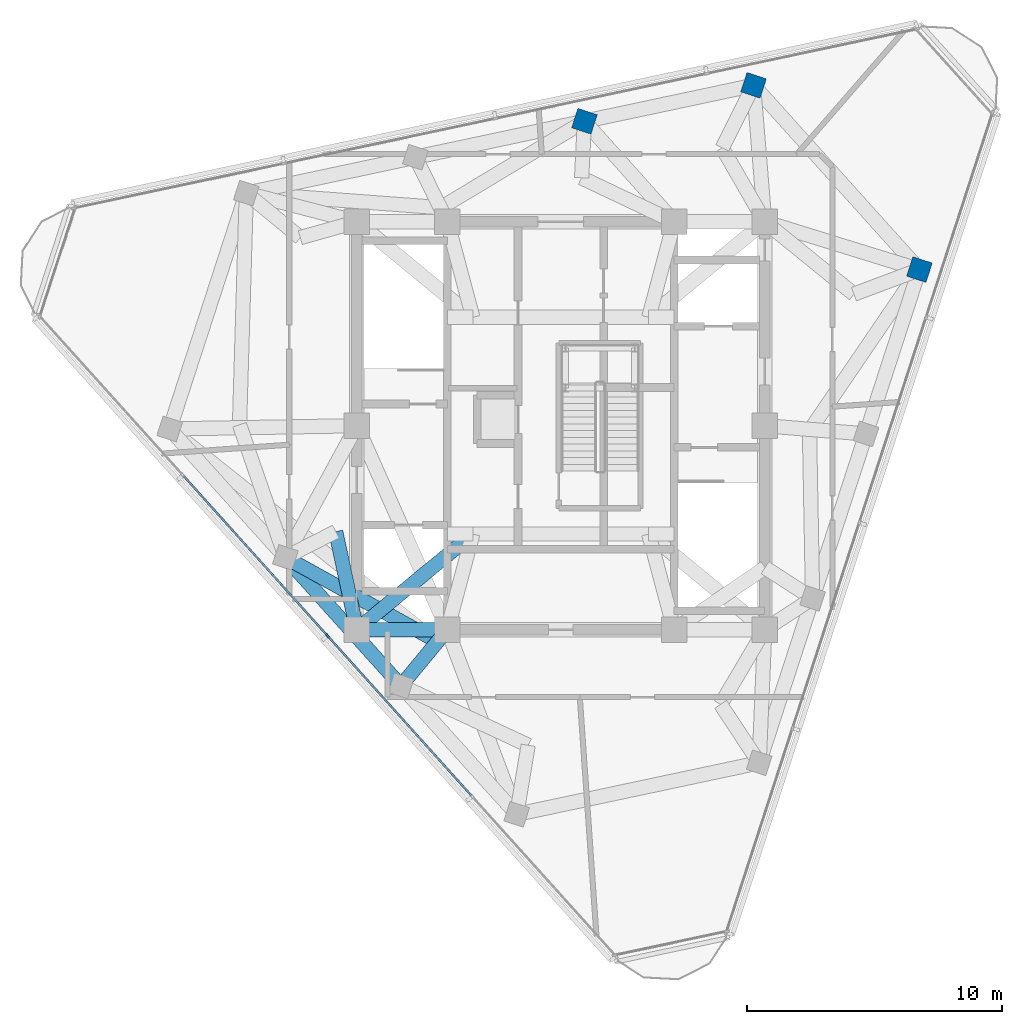
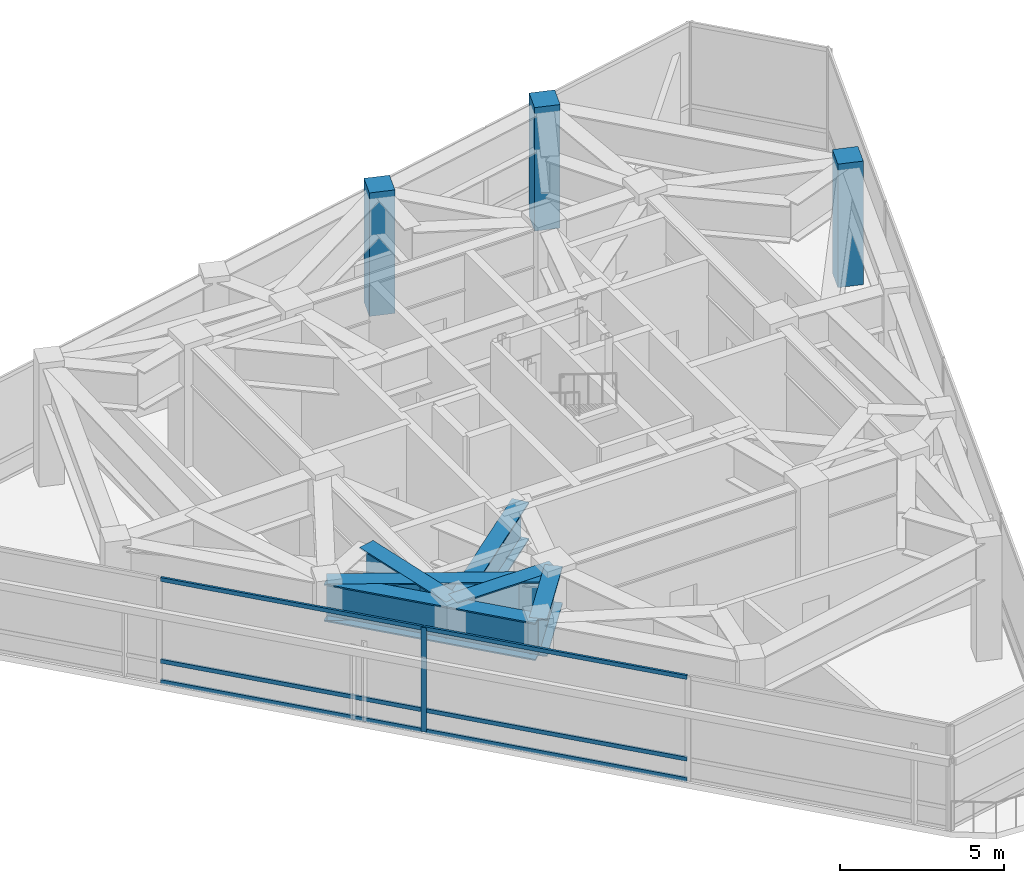
# One storey, part 2 of 11: 7 members, 6 beams, 3 columns, 1 element without a shape of its own.
"""IFC4 building model written with IfcOpenShell, lengths in metres."""

from ifc_helpers import new_model, si_unit, direction, frame, origin, origin_2d, place, context, subcontext, project, spatial, rectangle, i_section, extrude, material, layer, layer_set, material_profile, profile_set, type_object, element, aggregate, save


model = new_model("IFC4")

# Units and contexts
model_context = context("Model", 3, precision=1e-05, world=origin(), true_north=direction((0.0, 1.0)))
body_context = subcontext(model_context, "Body", "Model", "MODEL_VIEW")
ifc_project = project(units=[si_unit("LENGTHUNIT", "METRE"), si_unit("AREAUNIT", "SQUARE_METRE"), si_unit("VOLUMEUNIT", "CUBIC_METRE"), si_unit("PLANEANGLEUNIT", "RADIAN"), si_unit("MASSUNIT", "GRAM", prefix="KILO")], contexts=[model_context])

# Site, building, storey
site_placement = place(None, origin())
site = spatial("IfcSite", under=ifc_project, at=site_placement, CompositionType="ELEMENT")
building_placement = place(site_placement, origin())
building = spatial("IfcBuilding", under=site, at=building_placement, Name="Terralouvre Media Tower", CompositionType="ELEMENT")
storey_placement = place(building_placement, frame((0.0, 0.0, 322.0)))
storey = spatial("IfcBuildingStorey", under=building, at=storey_placement, Name="L83", CompositionType="ELEMENT", Elevation=322.0)

# Columns
ifc_material_1 = material(Name="Concrete C50/60", Category="concrete")
ifc_material_profile_1 = material_profile(ifc_material_1, rectangle(XDim=0.800048828125, YDim=0.800048828125, at=origin_2d()), Name="RC 800x800")
ifc_profile_set_1 = profile_set([ifc_material_profile_1], Name="Concrete C50/60")
column_type = type_object("IfcColumnType", Name="Structural Column C-RC800 (RC 800x800)", PredefinedType="COLUMN", material=ifc_profile_set_1)
for number, where, z_axis, x_axis, name in (
    (1, (14.066650390625, 6.122802734375, 0.0), (0.0, 0.0, 1.0), (0.309016994375, 0.951056516295, 0.0), "L83 Perimeter Mega-Column PC14"),
    (2, (7.5595703125, 13.349609375, 0.0), (0.0, 0.0, 1.0), (0.309016994375, 0.951056516295, 0.0), "L83 Perimeter Mega-Column PC21"),
    (3, (0.927734375, 11.93994140625, 0.0), (0.0, 0.0, 1.0), (0.309016994375, 0.951056516295, 0.0), "L83 Perimeter Mega-Column PC22"),
):
    element("IfcColumn", number, at=place(storey_placement, frame(where, z_axis=z_axis, x_axis=x_axis)), inside=storey, type_object=column_type, Name=name, PredefinedType="COLUMN", context=body_context, shape_type="SweptSolid", body=[
        extrude(rectangle(XDim=0.800048828125, YDim=0.800048828125, at=origin_2d()), origin(), (0.0, 0.0, 1.0), 4.60009765625),
    ])

# Curtain wall, members
ifc_material_2 = material(Name="Low-iron laminated double glazing with solar-control coating", Category="glass")
ifc_layer = layer(ifc_material_2, 0.1650390625, Name="Faceted Glass-Point Crown Curtain Wall CW-06")
ifc_layer_set = layer_set([ifc_layer], Name="Low-iron laminated double glazing with solar-control coating")
curtain_wall_type = type_object("IfcCurtainWallType", Name="Faceted Glass-Point Crown Curtain Wall CW-06", PredefinedType="NOTDEFINED", material=ifc_layer_set)
curtain_wall_placement = place(storey_placement, origin())
curtain_wall = element("IfcCurtainWall", 4, at=curtain_wall_placement, inside=storey, type_object=curtain_wall_type, Name="L83 Facade Curtain Wall F2", PredefinedType="NOTDEFINED")
ifc_material_3 = material(Name="Anodised extruded aluminium 6063-T6", Category="aluminium")
ifc_material_profile_2 = material_profile(ifc_material_3, rectangle(XDim=0.074951171875, YDim=0.14990234375, at=origin_2d()), Name="ALU 75x150")
ifc_profile_set_2 = profile_set([ifc_material_profile_2], Name="Anodised extruded aluminium 6063-T6")
member_type_1 = type_object("IfcMemberType", Name="Curtain-Wall Horizontal Transom TR-150", PredefinedType="USERDEFINED", material=ifc_profile_set_2)
member_1_placement = place(storey_placement, frame((-14.79833984375, -1.970703125, 0.03759765625), z_axis=(0.66912368808, -0.743151054666, 0.0), x_axis=(0.743151054666, 0.66912368808, 0.0)))
member_1 = element("IfcMember", 5, at=member_1_placement, type_object=member_type_1, Name="CW-06 transom 2.1", ObjectType="TRANSOM", PredefinedType="USERDEFINED", context=body_context, shape_type="SweptSolid", body=[
    extrude(rectangle(XDim=0.074951171875, YDim=0.14990234375, at=origin_2d()), origin(), (0.0, 0.0, 1.0), 8.39990234375),
])
member_2_placement = place(storey_placement, frame((-14.79833984375, -1.970703125, 0.800048828125), z_axis=(0.66912368808, -0.743151054666, 0.0), x_axis=(0.743151054666, 0.66912368808, 0.0)))
member_2 = element("IfcMember", 6, at=member_2_placement, type_object=member_type_1, Name="CW-06 transom 2.2", ObjectType="TRANSOM", PredefinedType="USERDEFINED", context=body_context, shape_type="SweptSolid", body=[
    extrude(rectangle(XDim=0.074951171875, YDim=0.14990234375, at=origin_2d()), origin(), (0.0, 0.0, 1.0), 8.39990234375),
])
member_3_placement = place(storey_placement, frame((-14.79833984375, -1.970703125, 3.842529296875), z_axis=(0.66912368808, -0.743151054666, 0.0), x_axis=(0.743151054666, 0.66912368808, 0.0)))
member_3 = element("IfcMember", 7, at=member_3_placement, type_object=member_type_1, Name="CW-06 transom 2.3", ObjectType="TRANSOM", PredefinedType="USERDEFINED", context=body_context, shape_type="SweptSolid", body=[
    extrude(rectangle(XDim=0.074951171875, YDim=0.14990234375, at=origin_2d()), origin(), (0.0, 0.0, 1.0), 8.39990234375),
])
member_4_placement = place(storey_placement, frame((-9.12744140625, -8.26904296875, 0.03759765625), z_axis=(0.66912368808, -0.743151054666, 0.0), x_axis=(0.743151054666, 0.66912368808, 0.0)))
member_4 = element("IfcMember", 8, at=member_4_placement, type_object=member_type_1, Name="CW-06 transom 3.1", ObjectType="TRANSOM", PredefinedType="USERDEFINED", context=body_context, shape_type="SweptSolid", body=[
    extrude(rectangle(XDim=0.074951171875, YDim=0.14990234375, at=origin_2d()), origin(), (0.0, 0.0, 1.0), 8.39990234375),
])
member_5_placement = place(storey_placement, frame((-9.12744140625, -8.26904296875, 0.800048828125), z_axis=(0.66912368808, -0.743151054666, 0.0), x_axis=(0.743151054666, 0.66912368808, 0.0)))
member_5 = element("IfcMember", 9, at=member_5_placement, type_object=member_type_1, Name="CW-06 transom 3.2", ObjectType="TRANSOM", PredefinedType="USERDEFINED", context=body_context, shape_type="SweptSolid", body=[
    extrude(rectangle(XDim=0.074951171875, YDim=0.14990234375, at=origin_2d()), origin(), (0.0, 0.0, 1.0), 8.39990234375),
])
member_6_placement = place(storey_placement, frame((-9.12744140625, -8.26904296875, 3.842529296875), z_axis=(0.66912368808, -0.743151054666, 0.0), x_axis=(0.743151054666, 0.66912368808, 0.0)))
member_6 = element("IfcMember", 10, at=member_6_placement, type_object=member_type_1, Name="CW-06 transom 3.3", ObjectType="TRANSOM", PredefinedType="USERDEFINED", context=body_context, shape_type="SweptSolid", body=[
    extrude(rectangle(XDim=0.074951171875, YDim=0.14990234375, at=origin_2d()), origin(), (0.0, 0.0, 1.0), 8.39990234375),
])
ifc_material_4 = material(Name="Anodised extruded aluminium 6063-T6", Category="aluminium")
ifc_material_profile_3 = material_profile(ifc_material_4, rectangle(XDim=0.074951171875, YDim=0.179931640625, at=origin_2d()), Name="ALU 75x180")
ifc_profile_set_3 = profile_set([ifc_material_profile_3], Name="Anodised extruded aluminium 6063-T6")
member_type_2 = type_object("IfcMemberType", Name="Curtain-Wall Vertical Mullion ML-180", PredefinedType="MULLION", material=ifc_profile_set_3)
member_7_placement = place(storey_placement, frame((-9.152587890625, -8.240966796875, 0.0), z_axis=(0.0, 0.0, 1.0), x_axis=(0.743144795125, 0.669130640069, 0.0)))
member_7 = element("IfcMember", 11, at=member_7_placement, type_object=member_type_2, Name="CW-06 mullion 3", PredefinedType="MULLION", context=body_context, shape_type="SweptSolid", body=[
    extrude(rectangle(XDim=0.074951171875, YDim=0.179931640625, at=origin_2d()), origin(), (0.0, 0.0, 1.0), 3.8798828125),
])
aggregate(curtain_wall, [member_7, member_1, member_2, member_3, member_4, member_5, member_6])

# Beams
ifc_material_5 = material(Name="Structural steel S460M", Category="steel")
ifc_material_profile_4 = material_profile(ifc_material_5, i_section(OverallWidth=0.56005859375, OverallDepth=1.39990234375, WebThickness=0.031982421875, FlangeThickness=0.050048828125, at=origin_2d()), Name="TG 1400x560")
ifc_profile_set_4 = profile_set([ifc_material_profile_4], Name="Structural steel S460M")
beam_type = type_object("IfcBeamType", Name="Welded Transfer Girder TG-1400 (TG 1400x560)", PredefinedType="USERDEFINED", material=ifc_profile_set_4)
beam_1_placement = place(storey_placement, frame((-8.0, -8.0, 3.679931640625), z_axis=(1.0, 0.0, 0.0), x_axis=(0.0, 1.0, 0.0)))
element("IfcBeam", 12, at=beam_1_placement, inside=storey, type_object=beam_type, Name="L83 Framing Beam BM-L83-CPR01", ObjectType="TRANSFER GIRDER", PredefinedType="USERDEFINED", context=body_context, shape_type="SweptSolid", body=[
    extrude(i_section(OverallWidth=0.56005859375, OverallDepth=1.39990234375, WebThickness=0.031982421875, FlangeThickness=0.050048828125, at=origin_2d()), origin(), (0.0, 0.0, 1.0), 3.550048828125),
])
beam_2_placement = place(storey_placement, frame((-10.80419921875, -5.16650390625, 3.679931640625), z_axis=(0.669119894102, -0.743154470697, 0.0), x_axis=(0.743154470697, 0.669119894102, 0.0)))
element("IfcBeam", 13, at=beam_2_placement, inside=storey, type_object=beam_type, Name="L83 Framing Beam BM-L83-PR02", ObjectType="TRANSFER GIRDER", PredefinedType="USERDEFINED", context=body_context, shape_type="SweptSolid", body=[
    extrude(i_section(OverallWidth=0.56005859375, OverallDepth=1.39990234375, WebThickness=0.031982421875, FlangeThickness=0.050048828125, at=origin_2d()), origin(), (0.0, 0.0, 1.0), 6.780029296875),
])
beam_3_placement = place(storey_placement, frame((-4.449951171875, -8.0, 3.679931640625), z_axis=(-0.636057555641, -0.771641617535, 0.0), x_axis=(0.771641617535, -0.636057555641, 0.0)))
element("IfcBeam", 14, at=beam_3_placement, inside=storey, type_object=beam_type, Name="L83 Framing Beam BM-L83-RD03", ObjectType="TRANSFER GIRDER", PredefinedType="USERDEFINED", context=body_context, shape_type="SweptSolid", body=[
    extrude(i_section(OverallWidth=0.56005859375, OverallDepth=1.39990234375, WebThickness=0.031982421875, FlangeThickness=0.050048828125, at=origin_2d()), origin(), (0.0, 0.0, 1.0), 2.857666015625),
])
beam_4_placement = place(storey_placement, frame((-3.449951171875, -4.25, 3.47998046875), z_axis=(-0.771688742944, -0.636000380513, 0.0), x_axis=(0.636000380513, -0.771688742944, 0.0)))
element("IfcBeam", 15, at=beam_4_placement, inside=storey, type_object=beam_type, Name="L83 Framing Beam BM-L83-TR01S2", ObjectType="TRANSFER GIRDER", PredefinedType="USERDEFINED", context=body_context, shape_type="SweptSolid", body=[
    extrude(i_section(OverallWidth=0.56005859375, OverallDepth=1.39990234375, WebThickness=0.031982421875, FlangeThickness=0.050048828125, at=origin_2d()), origin(), (0.0, 0.0, 1.0), 5.896240234375),
])
beam_5_placement = place(storey_placement, frame((-8.828369140625, -4.154541015625, 3.679931640625), z_axis=(0.210584363502, -0.977575688041, 0.0), x_axis=(0.977575688041, 0.210584363502, 0.0)))
element("IfcBeam", 16, at=beam_5_placement, inside=storey, type_object=beam_type, Name="L83 Framing Beam BM-L83-TR14S2", ObjectType="TRANSFER GIRDER", PredefinedType="USERDEFINED", context=body_context, shape_type="SweptSolid", body=[
    extrude(i_section(OverallWidth=0.56005859375, OverallDepth=1.39990234375, WebThickness=0.031982421875, FlangeThickness=0.050048828125, at=origin_2d()), origin(), (0.0, 0.0, 1.0), 3.93359375),
])
beam_6_placement = place(storey_placement, frame((-5.054443359375, -8.345703125, 3.679931640625), z_axis=(-0.875131810072, 0.483884609178, 0.0), x_axis=(-0.483884609178, -0.875131810072, 0.0)))
element("IfcBeam", 17, at=beam_6_placement, inside=storey, type_object=beam_type, Name="L83 Framing Beam BM-L83-TR15S1", ObjectType="TRANSFER GIRDER", PredefinedType="USERDEFINED", context=body_context, shape_type="SweptSolid", body=[
    extrude(i_section(OverallWidth=0.56005859375, OverallDepth=1.39990234375, WebThickness=0.031982421875, FlangeThickness=0.050048828125, at=origin_2d()), origin(), (0.0, 0.0, 1.0), 6.570068359375),
])

save(model, "model.ifc")
